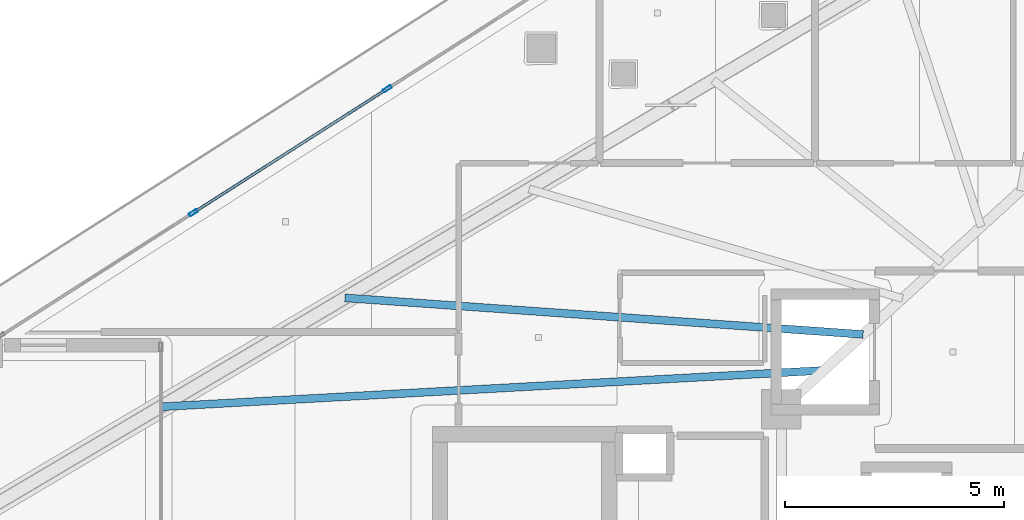
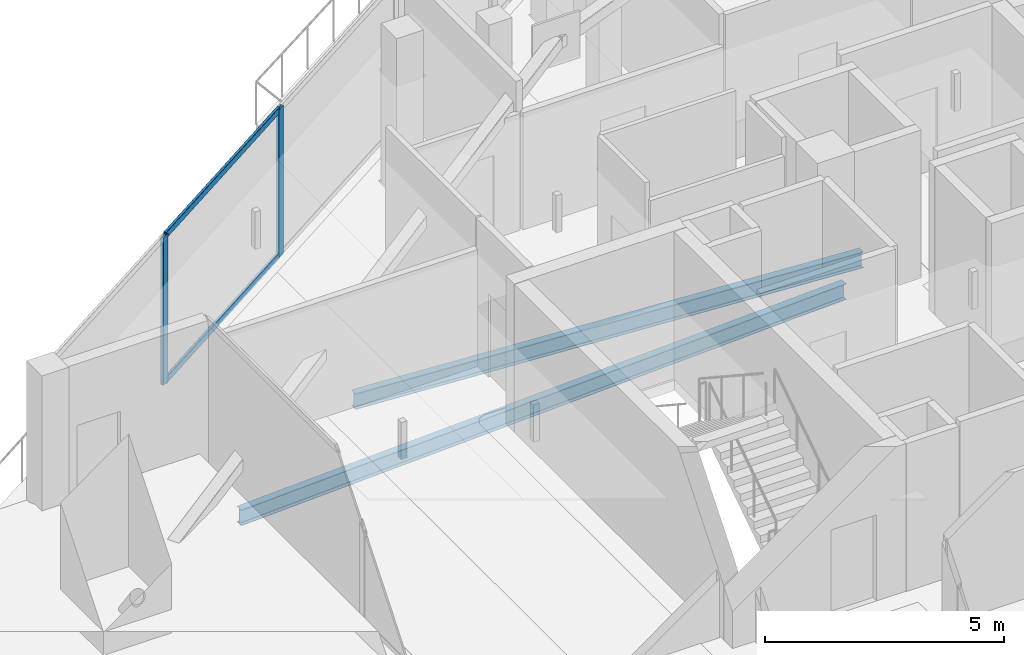
# One storey, part 18 of 40: 4 members, 2 beams, 1 element without a shape of its own.
"""IFC4 building model written with IfcOpenShell, lengths in metres."""

from ifc_helpers import new_model, si_unit, direction, frame, origin, origin_2d, place, context, subcontext, project, spatial, hollow_rectangle, i_section, extrude, material, layer, layer_set, material_profile, profile_set, type_object, element, aggregate, save


model = new_model("IFC4")

# Units and contexts
model_context = context("Model", 3, precision=1e-05, world=origin(), true_north=direction((0.0, 1.0)))
body_context = subcontext(model_context, "Body", "Model", "MODEL_VIEW")
ifc_project = project(units=[si_unit("LENGTHUNIT", "METRE"), si_unit("AREAUNIT", "SQUARE_METRE"), si_unit("VOLUMEUNIT", "CUBIC_METRE"), si_unit("PLANEANGLEUNIT", "RADIAN"), si_unit("MASSUNIT", "GRAM", prefix="KILO")], contexts=[model_context])

# Site, building, storey
site_placement = place(None, origin())
site = spatial("IfcSite", under=ifc_project, at=site_placement, CompositionType="ELEMENT")
building_placement = place(site_placement, origin())
building = spatial("IfcBuilding", under=site, at=building_placement, Name="Qorvath Tower", CompositionType="ELEMENT")
storey_placement = place(building_placement, frame((0.0, 0.0, 225.300048828125)))
storey = spatial("IfcBuildingStorey", under=building, at=storey_placement, Name="L52", CompositionType="ELEMENT", Elevation=225.300048828125)

# Beams
ifc_material_1 = material(Name="Steel ASTM A992 Grade 50", Category="steel")
ifc_material_profile_1 = material_profile(ifc_material_1, i_section(OverallWidth=0.177978515625, OverallDepth=0.406005859375, WebThickness=0.0078125, FlangeThickness=0.0126953125, FilletRadius=0.010986328125, at=origin_2d()), Name="W16x40")
ifc_profile_set_1 = profile_set([ifc_material_profile_1], Name="Steel ASTM A992 Grade 50")
beam_type = type_object("IfcBeamType", Name="BM-FJ3", PredefinedType="JOIST", material=ifc_profile_set_1)
beam_1_placement = place(storey_placement, frame((-29.533935546875, 6.031982421875, -0.47314453125), z_axis=(-0.998494745044, -0.054847462293, 0.0), x_axis=(0.054847462293, -0.998494745044, 0.0)))
element("IfcBeam", 1, at=beam_1_placement, inside=storey, type_object=beam_type, Name="Composite Floor Joist NW1 L52", PredefinedType="JOIST", context=body_context, shape_type="SweptSolid", body=[
    extrude(i_section(OverallWidth=0.177978515625, OverallDepth=0.406005859375, WebThickness=0.0078125, FlangeThickness=0.0126953125, FilletRadius=0.010986328125, at=origin_2d()), origin(), (0.0, 0.0, 1.0), 15.138671875),
])
beam_2_placement = place(storey_placement, frame((-28.636962890625, 6.85107421875, -0.47314453125), z_axis=(-0.997520476731, 0.070376832146, 0.0), x_axis=(-0.070376832146, -0.997520476731, 0.0)))
element("IfcBeam", 2, at=beam_2_placement, inside=storey, type_object=beam_type, Name="Composite Floor Joist NW2 L52", PredefinedType="JOIST", context=body_context, shape_type="SweptSolid", body=[
    extrude(i_section(OverallWidth=0.177978515625, OverallDepth=0.406005859375, WebThickness=0.0078125, FlangeThickness=0.0126953125, FilletRadius=0.010986328125, at=origin_2d()), origin(), (0.0, 0.0, 1.0), 11.84326171875),
])

# Curtain wall, members
ifc_material_2 = material(Name="Anodised aluminium and triple low-E glass", Category="aluminium")
ifc_layer = layer(ifc_material_2, 0.179931640625)
ifc_layer_set = layer_set([ifc_layer], Name="CW-SYS-5")
curtain_wall_type = type_object("IfcCurtainWallType", Name="CW-SYS-5", PredefinedType="NOTDEFINED", material=ifc_layer_set)
curtain_wall_placement = place(storey_placement, origin())
curtain_wall = element("IfcCurtainWall", 3, at=curtain_wall_placement, inside=storey, type_object=curtain_wall_type, Name="Curtain Wall CW-5 CW-T-L52-18.1", PredefinedType="NOTDEFINED")
ifc_material_3 = material(Name="Anodised aluminium 6063-T6", Category="aluminium")
ifc_material_profile_2 = material_profile(ifc_material_3, hollow_rectangle(XDim=0.074951171875, YDim=0.199951171875, WallThickness=0.00390625, InnerFilletRadius=0.00390625, OuterFilletRadius=0.008056640625, at=origin_2d()), Name="CWM 200x75")
ifc_profile_set_2 = profile_set([ifc_material_profile_2], Name="Anodised aluminium 6063-T6")
member_type_1 = type_object("IfcMemberType", Name="CWM-200", PredefinedType="MULLION", material=ifc_profile_set_2)
member_1_placement = place(storey_placement, frame((-39.48388671875, 12.452880859375, 0.0), z_axis=(0.0, 0.0, 1.0), x_axis=(0.538531098636, -0.842605634803, 0.0)))
member_1 = element("IfcMember", 4, at=member_1_placement, type_object=member_type_1, Name="CW-5 mullion 6", PredefinedType="MULLION", context=body_context, shape_type="SweptSolid", body=[
    extrude(hollow_rectangle(XDim=0.074951171875, YDim=0.199951171875, WallThickness=0.00390625, InnerFilletRadius=0.00390625, OuterFilletRadius=0.008056640625, at=origin_2d()), origin(), (0.0, 0.0, 1.0), 3.780029296875),
])
member_2_placement = place(storey_placement, frame((-43.910400390625, 9.623779296875, 0.0), z_axis=(0.0, 0.0, 1.0), x_axis=(0.538531098636, -0.842605634803, 0.0)))
member_2 = element("IfcMember", 5, at=member_2_placement, type_object=member_type_1, Name="CW-5 mullion 7", PredefinedType="MULLION", context=body_context, shape_type="SweptSolid", body=[
    extrude(hollow_rectangle(XDim=0.074951171875, YDim=0.199951171875, WallThickness=0.00390625, InnerFilletRadius=0.00390625, OuterFilletRadius=0.008056640625, at=origin_2d()), origin(), (0.0, 0.0, 1.0), 3.780029296875),
])
ifc_material_4 = material(Name="Anodised aluminium 6063-T6", Category="aluminium")
ifc_material_profile_3 = material_profile(ifc_material_4, hollow_rectangle(XDim=0.06494140625, YDim=0.159912109375, WallThickness=0.00341796875, InnerFilletRadius=0.00341796875, OuterFilletRadius=0.007080078125, at=origin_2d()), Name="CWT 160x65")
ifc_profile_set_3 = profile_set([ifc_material_profile_3], Name="Anodised aluminium 6063-T6")
member_type_2 = type_object("IfcMemberType", Name="CWT-160", PredefinedType="USERDEFINED", material=ifc_profile_set_3)
member_3_placement = place(storey_placement, frame((-39.515380859375, 12.4326171875, 0.032470703125), z_axis=(-0.842629113093, -0.538494361872, 0.0), x_axis=(0.538494361872, -0.842629113093, 0.0)))
member_3 = element("IfcMember", 6, at=member_3_placement, type_object=member_type_2, Name="CW-5 transom 6.1", ObjectType="TRANSOM", PredefinedType="USERDEFINED", context=body_context, shape_type="SweptSolid", body=[
    extrude(hollow_rectangle(XDim=0.06494140625, YDim=0.159912109375, WallThickness=0.00341796875, InnerFilletRadius=0.00341796875, OuterFilletRadius=0.007080078125, at=origin_2d()), origin(), (0.0, 0.0, 1.0), 5.178466796875),
])
member_4_placement = place(storey_placement, frame((-39.515380859375, 12.4326171875, 3.74755859375), z_axis=(-0.842629113093, -0.538494361872, 0.0), x_axis=(0.538494361872, -0.842629113093, 0.0)))
member_4 = element("IfcMember", 7, at=member_4_placement, type_object=member_type_2, Name="CW-5 transom 6.2", ObjectType="TRANSOM", PredefinedType="USERDEFINED", context=body_context, shape_type="SweptSolid", body=[
    extrude(hollow_rectangle(XDim=0.06494140625, YDim=0.159912109375, WallThickness=0.00341796875, InnerFilletRadius=0.00341796875, OuterFilletRadius=0.007080078125, at=origin_2d()), origin(), (0.0, 0.0, 1.0), 5.178466796875),
])
aggregate(curtain_wall, [member_1, member_2, member_3, member_4])

save(model, "model.ifc")
